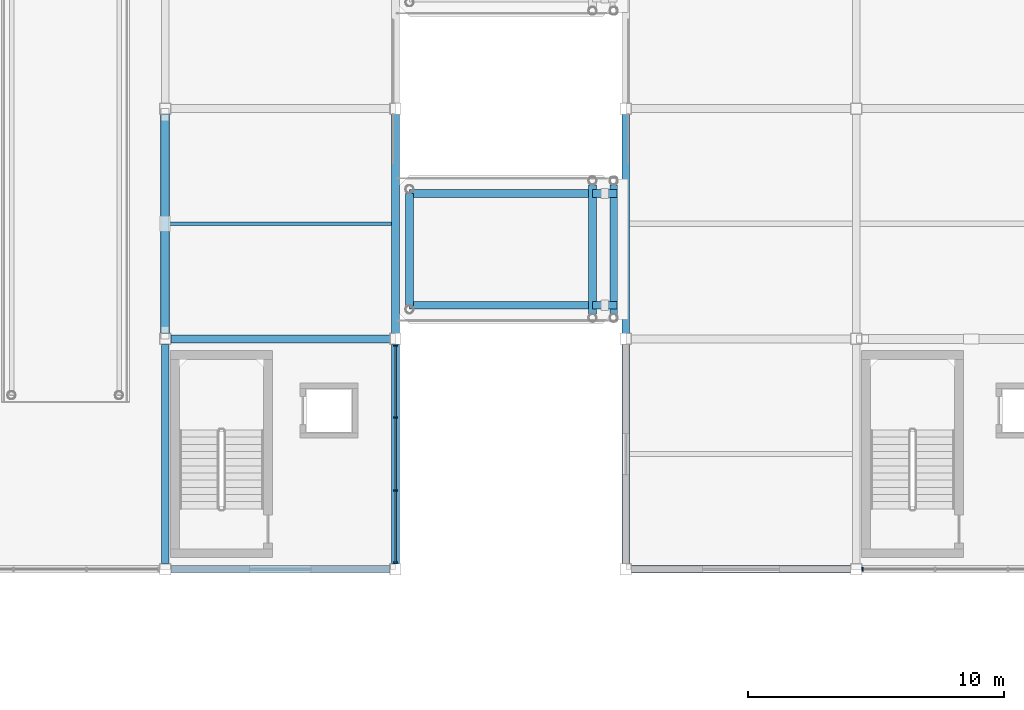
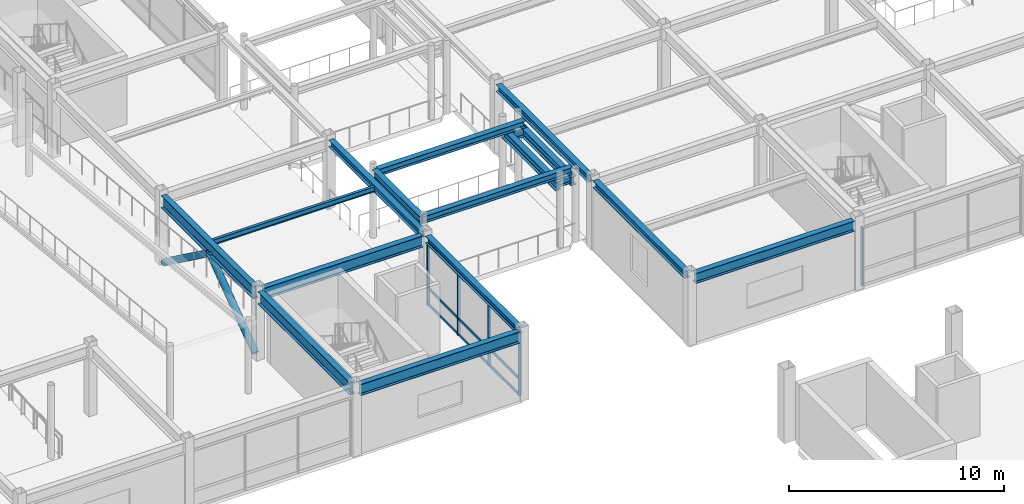
# One storey, part 32 of 105: 17 beams, 16 members, 2 elements without a shape of their own.
"""IFC4 building model written with IfcOpenShell, lengths in metres."""

from ifc_helpers import new_model, si_unit, direction, frame, origin, origin_2d, place, context, subcontext, project, spatial, rectangle, hollow_circle, i_section, extrude, material, material_profile, profile_set, type_object, element, aggregate, save


model = new_model("IFC4")

# Units and contexts
model_context = context("Model", 3, precision=1e-05, world=origin(), true_north=direction((0.0, 1.0)))
body_context = subcontext(model_context, "Body", "Model", "MODEL_VIEW")
ifc_project = project(units=[si_unit("LENGTHUNIT", "METRE"), si_unit("AREAUNIT", "SQUARE_METRE"), si_unit("VOLUMEUNIT", "CUBIC_METRE"), si_unit("PLANEANGLEUNIT", "RADIAN"), si_unit("MASSUNIT", "GRAM", prefix="KILO")], contexts=[model_context])

# Site, building, storey
site_placement = place(None, origin())
site = spatial("IfcSite", under=ifc_project, at=site_placement, CompositionType="ELEMENT")
building_placement = place(site_placement, origin())
building = spatial("IfcBuilding", under=site, at=building_placement, Name="Suzunagisa Mobility Hub", CompositionType="ELEMENT")
storey_placement = place(building_placement, frame((0.0, 0.0, 5.10009765625)))
storey = spatial("IfcBuildingStorey", under=building, at=storey_placement, Name="L01", CompositionType="ELEMENT", Elevation=5.10009765625)

# Curtain wall, members
ifc_material_1 = material(Name="Thermally Broken Anodized Aluminum and Low-E Glazing", Category="aluminium")
curtain_wall_type_1 = type_object("IfcCurtainWallType", Name="Unitised Curtain Wall CW-14 8500x3600", PredefinedType="USERDEFINED", material=ifc_material_1)
curtain_wall_1_placement = place(storey_placement, origin())
curtain_wall_1 = element("IfcCurtainWall", 1, at=curtain_wall_1_placement, inside=storey, type_object=curtain_wall_type_1, Name="L01 Unitised Curtain Wall CW-56", ObjectType="UNITISED CURTAIN WALL", PredefinedType="USERDEFINED")
ifc_material_2 = material(Name="Anodized Aluminum 6063-T6", Category="aluminium")
ifc_material_profile_1 = material_profile(ifc_material_2, rectangle(XDim=0.06494140625, YDim=0.139892578125, at=origin_2d()), Name="TRAN-65x140")
ifc_profile_set_1 = profile_set([ifc_material_profile_1], Name="Anodized Aluminum 6063-T6")
member_type_1 = type_object("IfcMemberType", Name="Curtain Wall Framing CM-01 TRAN-65x140", PredefinedType="USERDEFINED", material=ifc_profile_set_1)
member_1_placement = place(storey_placement, frame((36.0, 80.282958984375, 0.032470703125), z_axis=(0.0, 1.0, 0.0), x_axis=(-1.0, 0.0, 0.0)))
member_1 = element("IfcMember", 2, at=member_1_placement, type_object=member_type_1, Name="Curtain Wall Transom 56-T1.1", ObjectType="TRANSOM", PredefinedType="USERDEFINED", context=body_context, shape_type="SweptSolid", body=[
    extrude(rectangle(XDim=0.06494140625, YDim=0.139892578125, at=origin_2d()), origin(), (0.0, 0.0, 1.0), 2.76416015625),
])
member_2_placement = place(storey_placement, frame((36.0, 80.282958984375, 0.949951171875), z_axis=(0.0, 1.0, 0.0), x_axis=(-1.0, 0.0, 0.0)))
member_2 = element("IfcMember", 3, at=member_2_placement, type_object=member_type_1, Name="Curtain Wall Transom 56-T1.2", ObjectType="TRANSOM", PredefinedType="USERDEFINED", context=body_context, shape_type="SweptSolid", body=[
    extrude(rectangle(XDim=0.06494140625, YDim=0.139892578125, at=origin_2d()), origin(), (0.0, 0.0, 1.0), 2.76416015625),
])
member_3_placement = place(storey_placement, frame((36.0, 80.282958984375, 3.517333984375), z_axis=(0.0, 1.0, 0.0), x_axis=(-1.0, 0.0, 0.0)))
member_3 = element("IfcMember", 4, at=member_3_placement, type_object=member_type_1, Name="Curtain Wall Transom 56-T1.3", ObjectType="TRANSOM", PredefinedType="USERDEFINED", context=body_context, shape_type="SweptSolid", body=[
    extrude(rectangle(XDim=0.06494140625, YDim=0.139892578125, at=origin_2d()), origin(), (0.0, 0.0, 1.0), 2.76416015625),
])
member_4_placement = place(storey_placement, frame((36.0, 83.10302734375, 0.032470703125), z_axis=(0.0, 1.0, 0.0), x_axis=(-1.0, 0.0, 0.0)))
member_4 = element("IfcMember", 5, at=member_4_placement, type_object=member_type_1, Name="Curtain Wall Transom 56-T2.1", ObjectType="TRANSOM", PredefinedType="USERDEFINED", context=body_context, shape_type="SweptSolid", body=[
    extrude(rectangle(XDim=0.06494140625, YDim=0.139892578125, at=origin_2d()), origin(), (0.0, 0.0, 1.0), 2.7939453125),
])
member_5_placement = place(storey_placement, frame((36.0, 83.10302734375, 0.949951171875), z_axis=(0.0, 1.0, 0.0), x_axis=(-1.0, 0.0, 0.0)))
member_5 = element("IfcMember", 6, at=member_5_placement, type_object=member_type_1, Name="Curtain Wall Transom 56-T2.2", ObjectType="TRANSOM", PredefinedType="USERDEFINED", context=body_context, shape_type="SweptSolid", body=[
    extrude(rectangle(XDim=0.06494140625, YDim=0.139892578125, at=origin_2d()), origin(), (0.0, 0.0, 1.0), 2.7939453125),
])
member_6_placement = place(storey_placement, frame((36.0, 83.10302734375, 3.517333984375), z_axis=(0.0, 1.0, 0.0), x_axis=(-1.0, 0.0, 0.0)))
member_6 = element("IfcMember", 7, at=member_6_placement, type_object=member_type_1, Name="Curtain Wall Transom 56-T2.3", ObjectType="TRANSOM", PredefinedType="USERDEFINED", context=body_context, shape_type="SweptSolid", body=[
    extrude(rectangle(XDim=0.06494140625, YDim=0.139892578125, at=origin_2d()), origin(), (0.0, 0.0, 1.0), 2.7939453125),
])
member_7_placement = place(storey_placement, frame((36.0, 85.952880859375, 0.032470703125), z_axis=(0.0, 1.0, 0.0), x_axis=(-1.0, 0.0, 0.0)))
member_7 = element("IfcMember", 8, at=member_7_placement, type_object=member_type_1, Name="Curtain Wall Transom 56-T3.1", ObjectType="TRANSOM", PredefinedType="USERDEFINED", context=body_context, shape_type="SweptSolid", body=[
    extrude(rectangle(XDim=0.06494140625, YDim=0.139892578125, at=origin_2d()), origin(), (0.0, 0.0, 1.0), 2.76416015625),
])
member_8_placement = place(storey_placement, frame((36.0, 85.952880859375, 0.949951171875), z_axis=(0.0, 1.0, 0.0), x_axis=(-1.0, 0.0, 0.0)))
member_8 = element("IfcMember", 9, at=member_8_placement, type_object=member_type_1, Name="Curtain Wall Transom 56-T3.2", ObjectType="TRANSOM", PredefinedType="USERDEFINED", context=body_context, shape_type="SweptSolid", body=[
    extrude(rectangle(XDim=0.06494140625, YDim=0.139892578125, at=origin_2d()), origin(), (0.0, 0.0, 1.0), 2.76416015625),
])
member_9_placement = place(storey_placement, frame((36.0, 85.952880859375, 3.517333984375), z_axis=(0.0, 1.0, 0.0), x_axis=(-1.0, 0.0, 0.0)))
member_9 = element("IfcMember", 10, at=member_9_placement, type_object=member_type_1, Name="Curtain Wall Transom 56-T3.3", ObjectType="TRANSOM", PredefinedType="USERDEFINED", context=body_context, shape_type="SweptSolid", body=[
    extrude(rectangle(XDim=0.06494140625, YDim=0.139892578125, at=origin_2d()), origin(), (0.0, 0.0, 1.0), 2.76416015625),
])
ifc_material_profile_2 = material_profile(ifc_material_2, rectangle(XDim=0.06005859375, YDim=0.14990234375, at=origin_2d()), Name="MULL-60x150")
ifc_profile_set_2 = profile_set([ifc_material_profile_2], Name="Anodized Aluminum 6063-T6")
member_type_2 = type_object("IfcMemberType", Name="Curtain Wall Framing CM-03 MULL-60x150", PredefinedType="MULLION", material=ifc_profile_set_2)
member_10_placement = place(storey_placement, frame((36.0, 80.2548828125, 0.0), z_axis=(0.0, 0.0, 1.0), x_axis=(0.0, 1.0, 0.0)))
member_10 = element("IfcMember", 11, at=member_10_placement, type_object=member_type_2, Name="Curtain Wall Mullion 56-M1", PredefinedType="MULLION", context=body_context, shape_type="SweptSolid", body=[
    extrude(rectangle(XDim=0.06005859375, YDim=0.14990234375, at=origin_2d()), origin(), (0.0, 0.0, 1.0), 3.5498046875),
])
member_11_placement = place(storey_placement, frame((36.0, 83.074951171875, 0.0), z_axis=(0.0, 0.0, 1.0), x_axis=(0.0, 1.0, 0.0)))
member_11 = element("IfcMember", 12, at=member_11_placement, type_object=member_type_2, Name="Curtain Wall Mullion 56-M2", PredefinedType="MULLION", context=body_context, shape_type="SweptSolid", body=[
    extrude(rectangle(XDim=0.06005859375, YDim=0.14990234375, at=origin_2d()), origin(), (0.0, 0.0, 1.0), 3.5498046875),
])
member_12_placement = place(storey_placement, frame((36.0, 85.925048828125, 0.0), z_axis=(0.0, 0.0, 1.0), x_axis=(0.0, 1.0, 0.0)))
member_12 = element("IfcMember", 13, at=member_12_placement, type_object=member_type_2, Name="Curtain Wall Mullion 56-M3", PredefinedType="MULLION", context=body_context, shape_type="SweptSolid", body=[
    extrude(rectangle(XDim=0.06005859375, YDim=0.14990234375, at=origin_2d()), origin(), (0.0, 0.0, 1.0), 3.5498046875),
])
member_13_placement = place(storey_placement, frame((36.0, 88.7451171875, 0.0), z_axis=(0.0, 0.0, 1.0), x_axis=(0.0, 1.0, 0.0)))
member_13 = element("IfcMember", 14, at=member_13_placement, type_object=member_type_2, Name="Curtain Wall Mullion 56-M4", PredefinedType="MULLION", context=body_context, shape_type="SweptSolid", body=[
    extrude(rectangle(XDim=0.06005859375, YDim=0.14990234375, at=origin_2d()), origin(), (0.0, 0.0, 1.0), 3.5498046875),
])
aggregate(curtain_wall_1, [member_10, member_11, member_12, member_13, member_1, member_2, member_3, member_4, member_5, member_6, member_7, member_8, member_9])

# Curtain wall, member
curtain_wall_type_2 = type_object("IfcCurtainWallType", Name="Unitised Curtain Wall CW-29 8500x3400", PredefinedType="USERDEFINED", material=ifc_material_1)
curtain_wall_2_placement = place(storey_placement, origin())
curtain_wall_2 = element("IfcCurtainWall", 15, at=curtain_wall_2_placement, inside=storey, type_object=curtain_wall_type_2, Name="L01 Unitised Curtain Wall CW-100", ObjectType="UNITISED CURTAIN WALL", PredefinedType="USERDEFINED")
member_14_placement = place(storey_placement, frame((54.2548828125, 80.0, 0.0), z_axis=(0.0, 0.0, 1.0), x_axis=(1.0, 0.0, 0.0)))
member_14 = element("IfcMember", 16, at=member_14_placement, type_object=member_type_2, Name="Curtain Wall Mullion 100-M1", PredefinedType="MULLION", context=body_context, shape_type="SweptSolid", body=[
    extrude(rectangle(XDim=0.06005859375, YDim=0.14990234375, at=origin_2d()), origin(), (0.0, 0.0, 1.0), 3.351806640625),
])
aggregate(curtain_wall_2, [member_14])

# Members
ifc_material_3 = material(Name="Steel SN490B", Category="steel")
ifc_material_profile_3 = material_profile(ifc_material_3, hollow_circle(Radius=0.177734375, WallThickness=0.0126953125, at=origin_2d()), Name="CHS-355.6x12.7")
ifc_profile_set_3 = profile_set([ifc_material_profile_3], Name="Steel SN490B")
member_type_3 = type_object("IfcMemberType", Name="Roof Truss and Brace Member MB-03 CHS-355.6x12.7", PredefinedType="BRACE", material=ifc_profile_set_3)
for number, where, z_axis, x_axis, name in (
    (17, (27.0, 89.2451171875, 0.119873046875), (0.0, 0.807696701693, 0.589598200536), (-1.0, 0.0, 0.0), "L01 Concentric Lateral Brace BR-21"),
    (18, (27.0, 97.7548828125, 0.119873046875), (0.0, -0.807696701693, 0.589598200536), (1.0, 0.0, 0.0), "L01 Concentric Lateral Brace BR-22"),
):
    element("IfcMember", number, at=place(storey_placement, frame(where, z_axis=z_axis, x_axis=x_axis)), inside=storey, type_object=member_type_3, Name=name, PredefinedType="BRACE", context=body_context, shape_type="SweptSolid", body=[
        extrude(hollow_circle(Radius=0.177734375, WallThickness=0.0126953125, at=origin_2d()), origin(), (0.0, 0.0, 1.0), 5.267822265625),
    ])

# Beams
ifc_material_profile_4 = material_profile(ifc_material_3, i_section(OverallWidth=0.300048828125, OverallDepth=0.488037109375, WebThickness=0.010986328125, FlangeThickness=0.01806640625, FilletRadius=0.012939453125, at=origin_2d()), Name="H-488x300x11x18")
ifc_profile_set_4 = profile_set([ifc_material_profile_4], Name="Steel SN490B")
beam_type_1 = type_object("IfcBeamType", Name="Steel Beam BM-06 H-488x300x11x18", PredefinedType="BEAM", material=ifc_profile_set_4)
beam_1_placement = place(storey_placement, frame((36.550048828125, 90.31005859375, 3.69580078125), z_axis=(0.0, 1.0, 0.0), x_axis=(-1.0, 0.0, 0.0)))
element("IfcBeam", 19, at=beam_1_placement, inside=storey, type_object=beam_type_1, Name="L02 Skybridge Fixed Crosshead VRL-L02-S", PredefinedType="BEAM", context=body_context, shape_type="SweptSolid", body=[
    extrude(i_section(OverallWidth=0.300048828125, OverallDepth=0.488037109375, WebThickness=0.010986328125, FlangeThickness=0.01806640625, FilletRadius=0.012939453125, at=origin_2d()), origin(), (0.0, 0.0, 1.0), 4.3798828125),
])
for number, where, z_axis, x_axis, name in (
    (20, (43.699951171875, 89.97998046875, 3.305908203125), (0.0, 1.0, 0.0), (-1.0, 0.0, 0.0), "L02 Skybridge Seat Crosshead VRL-L02-S-W"),
    (21, (44.530029296875, 89.97998046875, 3.305908203125), (0.0, 1.0, 0.0), (-1.0, 0.0, 0.0), "L02 Skybridge Seat Crosshead VRL-L02-S-E"),
):
    element("IfcBeam", number, at=place(storey_placement, frame(where, z_axis=z_axis, x_axis=x_axis)), inside=storey, type_object=beam_type_1, Name=name, PredefinedType="BEAM", context=body_context, shape_type="SweptSolid", body=[
        extrude(i_section(OverallWidth=0.300048828125, OverallDepth=0.488037109375, WebThickness=0.010986328125, FlangeThickness=0.01806640625, FilletRadius=0.012939453125, at=origin_2d()), origin(), (0.0, 0.0, 1.0), 5.0400390625),
    ])
for number, where, z_axis, x_axis, name in (
    (22, (43.699951171875, 90.320068359375, 3.305908203125), (1.0, 0.0, 0.0), (0.0, 1.0, 0.0), "L02 Skybridge 950mm Bearing Seat VRL-L02-S-A"),
    (23, (43.699951171875, 94.679931640625, 3.305908203125), (1.0, 0.0, 0.0), (0.0, 1.0, 0.0), "L02 Skybridge 950mm Bearing Seat VRL-L02-S-B"),
):
    element("IfcBeam", number, at=place(storey_placement, frame(where, z_axis=z_axis, x_axis=x_axis)), inside=storey, type_object=beam_type_1, Name=name, PredefinedType="BEAM", context=body_context, shape_type="SweptSolid", body=[
        extrude(i_section(OverallWidth=0.300048828125, OverallDepth=0.488037109375, WebThickness=0.010986328125, FlangeThickness=0.01806640625, FilletRadius=0.012939453125, at=origin_2d()), origin(), (0.0, 0.0, 1.0), 0.949951171875),
    ])
ifc_material_profile_5 = material_profile(ifc_material_3, i_section(OverallWidth=0.300048828125, OverallDepth=0.64990234375, WebThickness=0.012939453125, FlangeThickness=0.02197265625, FilletRadius=0.01611328125, at=origin_2d()), Name="H-650x300x13x22")
ifc_profile_set_5 = profile_set([ifc_material_profile_5], Name="Steel SN490B")
beam_type_2 = type_object("IfcBeamType", Name="Steel Beam BM-10 H-650x300x13x22", PredefinedType="BEAM", material=ifc_profile_set_5)
for number, where, z_axis, x_axis, name in (
    (24, (27.220947265625, 80.0, 3.614990234375), (1.0, 0.0, 0.0), (0.0, 1.0, 0.0), "L01 Primary Girder GX-488"),
    (25, (27.220947265625, 89.0, 3.614990234375), (1.0, 0.0, 0.0), (0.0, 1.0, 0.0), "L01 Primary Girder GX-491"),
):
    element("IfcBeam", number, at=place(storey_placement, frame(where, z_axis=z_axis, x_axis=x_axis)), inside=storey, type_object=beam_type_2, Name=name, PredefinedType="BEAM", context=body_context, shape_type="SweptSolid", body=[
        extrude(i_section(OverallWidth=0.300048828125, OverallDepth=0.64990234375, WebThickness=0.012939453125, FlangeThickness=0.02197265625, FilletRadius=0.01611328125, at=origin_2d()), origin(), (0.0, 0.0, 1.0), 8.55810546875),
    ])
ifc_material_profile_6 = material_profile(ifc_material_3, i_section(OverallWidth=0.300048828125, OverallDepth=0.699951171875, WebThickness=0.012939453125, FlangeThickness=0.02392578125, FilletRadius=0.01806640625, at=origin_2d()), Name="H-700x300x13x24")
ifc_profile_set_6 = profile_set([ifc_material_profile_6], Name="Steel SN490B")
beam_type_3 = type_object("IfcBeamType", Name="Steel Beam BM-11 H-700x300x13x24", PredefinedType="BEAM", material=ifc_profile_set_6)
for number, where, z_axis, x_axis, name in (
    (26, (27.0, 80.220947265625, 3.58984375), (0.0, 1.0, 0.0), (-1.0, 0.0, 0.0), "L01 Primary Girder GY-506"),
    (27, (27.0, 89.220947265625, 3.58984375), (0.0, 1.0, 0.0), (-1.0, 0.0, 0.0), "L01 Primary Girder GY-507"),
):
    element("IfcBeam", number, at=place(storey_placement, frame(where, z_axis=z_axis, x_axis=x_axis)), inside=storey, type_object=beam_type_3, Name=name, PredefinedType="BEAM", context=body_context, shape_type="SweptSolid", body=[
        extrude(i_section(OverallWidth=0.300048828125, OverallDepth=0.699951171875, WebThickness=0.012939453125, FlangeThickness=0.02392578125, FilletRadius=0.01806640625, at=origin_2d()), origin(), (0.0, 0.0, 1.0), 8.55810546875),
    ])
ifc_material_profile_7 = material_profile(ifc_material_3, i_section(OverallWidth=0.300048828125, OverallDepth=0.389892578125, WebThickness=0.010009765625, FlangeThickness=0.01611328125, FilletRadius=0.012939453125, at=origin_2d()), Name="H-390x300x10x16")
ifc_profile_set_7 = profile_set([ifc_material_profile_7], Name="Steel SN490B")
beam_type_4 = type_object("IfcBeamType", Name="Steel Beam BM-13 H-390x300x10x16", PredefinedType="SPANDREL", material=ifc_profile_set_7)
for number, where, z_axis, x_axis, name in (
    (28, (36.0, 80.220947265625, 3.744873046875), (0.0, 1.0, 0.0), (-1.0, 0.0, 0.0), "L01 Primary Girder GY-510"),
    (29, (36.0, 89.220947265625, 3.744873046875), (0.0, 1.0, 0.0), (-1.0, 0.0, 0.0), "L01 Primary Girder GY-511"),
    (30, (45.0, 80.220947265625, 3.744873046875), (0.0, 1.0, 0.0), (-1.0, 0.0, 0.0), "L01 Primary Girder GY-846"),
    (31, (45.0, 89.220947265625, 3.744873046875), (0.0, 1.0, 0.0), (-1.0, 0.0, 0.0), "L01 Primary Girder GY-847"),
):
    element("IfcBeam", number, at=place(storey_placement, frame(where, z_axis=z_axis, x_axis=x_axis)), inside=storey, type_object=beam_type_4, Name=name, PredefinedType="SPANDREL", context=body_context, shape_type="SweptSolid", body=[
        extrude(i_section(OverallWidth=0.300048828125, OverallDepth=0.389892578125, WebThickness=0.010009765625, FlangeThickness=0.01611328125, FilletRadius=0.012939453125, at=origin_2d()), origin(), (0.0, 0.0, 1.0), 8.55810546875),
    ])
ifc_material_profile_8 = material_profile(ifc_material_3, i_section(OverallWidth=0.300048828125, OverallDepth=0.587890625, WebThickness=0.011962890625, FlangeThickness=0.02001953125, FilletRadius=0.012939453125, at=origin_2d()), Name="H-588x300x12x20")
ifc_profile_set_8 = profile_set([ifc_material_profile_8], Name="Steel SN490B")
beam_type_5 = type_object("IfcBeamType", Name="Steel Beam BM-16 H-588x300x12x20", PredefinedType="BEAM", material=ifc_profile_set_8)
beam_2_placement = place(storey_placement, frame((45.220947265625, 80.0, 3.64599609375), z_axis=(1.0, 0.0, 0.0), x_axis=(0.0, 1.0, 0.0)))
element("IfcBeam", 32, at=beam_2_placement, inside=storey, type_object=beam_type_5, Name="L01 Primary Girder GX-802", PredefinedType="BEAM", context=body_context, shape_type="SweptSolid", body=[
    extrude(i_section(OverallWidth=0.300048828125, OverallDepth=0.587890625, WebThickness=0.011962890625, FlangeThickness=0.02001953125, FilletRadius=0.012939453125, at=origin_2d()), origin(), (0.0, 0.0, 1.0), 8.55810546875),
])
ifc_material_profile_9 = material_profile(ifc_material_3, i_section(OverallWidth=0.300048828125, OverallDepth=0.389892578125, WebThickness=0.010009765625, FlangeThickness=0.01611328125, FilletRadius=0.012939453125, at=origin_2d()), Name="H-390x300x10x16")
ifc_profile_set_9 = profile_set([ifc_material_profile_9], Name="Steel SN490B")
beam_type_6 = type_object("IfcBeamType", Name="Steel Beam BM-17 H-390x300x10x16", PredefinedType="T_BEAM", material=ifc_profile_set_9)
for number, where, z_axis, x_axis, name in (
    (33, (36.550048828125, 90.320068359375, 3.744873046875), (1.0, 0.0, 0.0), (0.0, 1.0, 0.0), "L02 Bridge Girder VRL-L02-S-A"),
    (34, (36.550048828125, 94.679931640625, 3.744873046875), (1.0, 0.0, 0.0), (0.0, 1.0, 0.0), "L02 Bridge Girder VRL-L02-S-B"),
):
    element("IfcBeam", number, at=place(storey_placement, frame(where, z_axis=z_axis, x_axis=x_axis)), inside=storey, type_object=beam_type_6, Name=name, PredefinedType="T_BEAM", context=body_context, shape_type="SweptSolid", body=[
        extrude(i_section(OverallWidth=0.300048828125, OverallDepth=0.389892578125, WebThickness=0.010009765625, FlangeThickness=0.01611328125, FilletRadius=0.012939453125, at=origin_2d()), origin(), (0.0, 0.0, 1.0), 8.02001953125),
    ])
ifc_material_4 = material(Name="Steel SN400B", Category="steel")
ifc_material_profile_10 = material_profile(ifc_material_4, i_section(OverallWidth=0.14990234375, OverallDepth=0.300048828125, WebThickness=0.006591796875, FlangeThickness=0.009033203125, FilletRadius=0.008056640625, at=origin_2d()), Name="H-300x150x6.5x9")
ifc_profile_set_10 = profile_set([ifc_material_profile_10], Name="Steel SN400B")
beam_type_7 = type_object("IfcBeamType", Name="Steel Beam BM-24 H-300x150x6.5x9", PredefinedType="JOIST", material=ifc_profile_set_10)
beam_3_placement = place(storey_placement, frame((27.14990234375, 93.5, 3.789794921875), z_axis=(1.0, 0.0, 0.0), x_axis=(0.0, 1.0, 0.0)))
element("IfcBeam", 35, at=beam_3_placement, inside=storey, type_object=beam_type_7, Name="L01 Composite Floor Joist J-518", PredefinedType="JOIST", context=body_context, shape_type="SweptSolid", body=[
    extrude(i_section(OverallWidth=0.14990234375, OverallDepth=0.300048828125, WebThickness=0.006591796875, FlangeThickness=0.009033203125, FilletRadius=0.008056640625, at=origin_2d()), origin(), (0.0, 0.0, 1.0), 8.7001953125),
])

save(model, "model.ifc")
